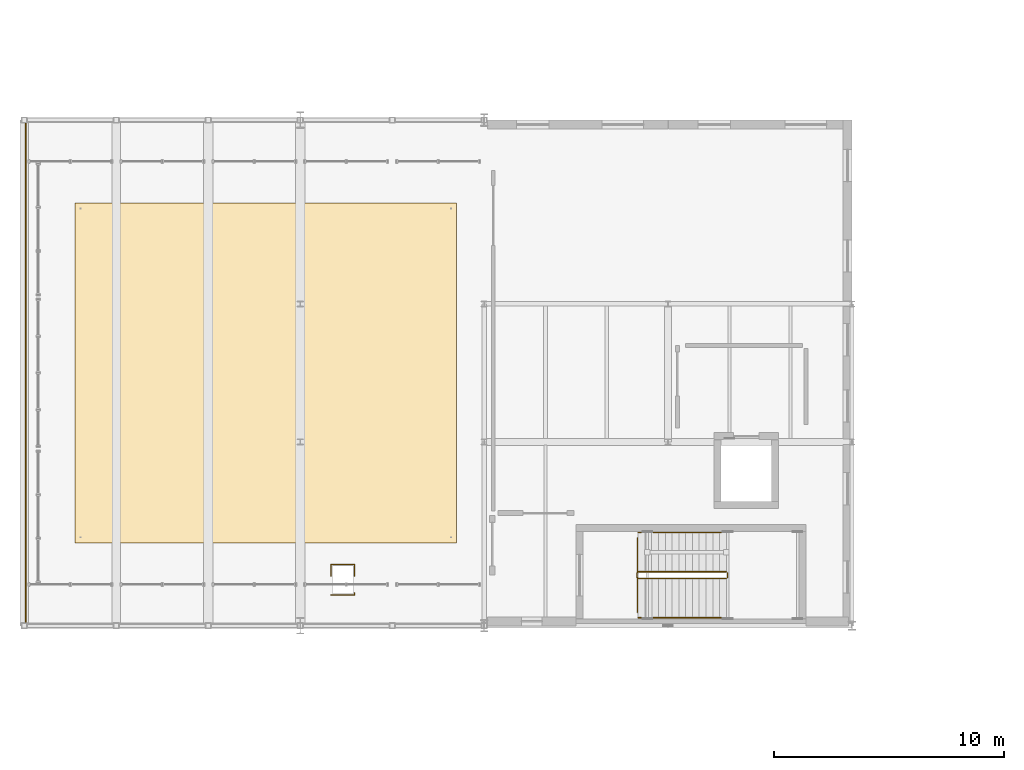
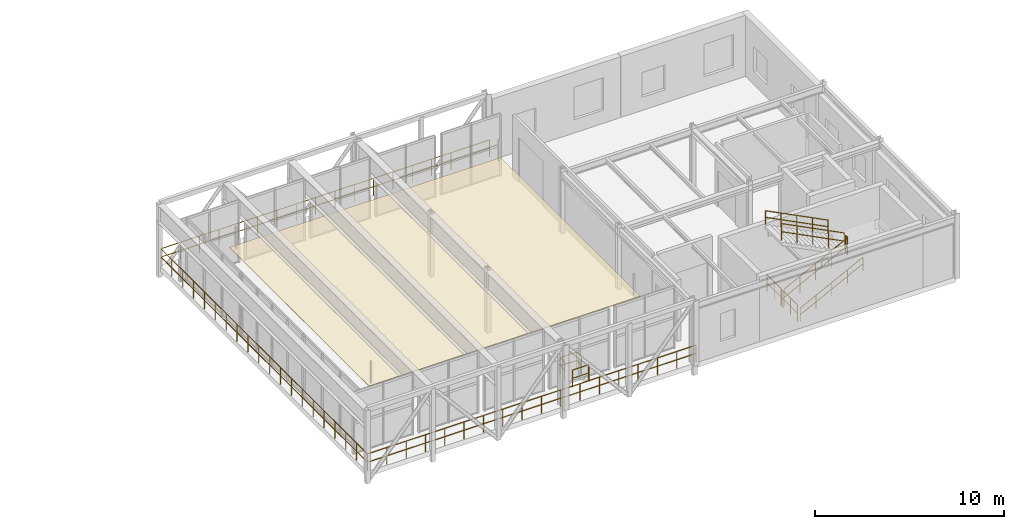
# One storey, part 115 of 124: 11 railings, 1 covering.
"""IFC4 building model written with IfcOpenShell, lengths in metres."""

import ifcopenshell
import ifcopenshell.guid

model = None  # the IFC model being written
_history = None  # IfcOwnerHistory: only IFC2X3 demands one
_inside = {}  # id of a spatial element -> (the spatial element, [elements in it])
_under = {}  # id of a project, library or spatial element -> (it, [spatial elements below it])
_declared = {}  # id of a project -> (the project, [libraries it declares])
_typed = {}  # id of a type object -> (the type object, [elements of that type])
_made_of = {}  # id of a material, layer set ... -> (it, [elements and type objects made of it])


def new_model(schema):
    """Start an empty IFC model of exactly this schema.

    Asked for "IFC4X3", IfcOpenShell would pick the latest addendum, in which some entities
    have other attributes; the version numbers below select the first issue.
    IFC2X3 requires an IfcOwnerHistory on every rooted entity: one is made here for all.
    """
    global model, _history
    if schema == "IFC4X3":
        model = ifcopenshell.file(schema_version=(4, 3, 0, 0))
    else:
        model = ifcopenshell.file(schema=schema)
    _inside.clear()
    _under.clear()
    _declared.clear()
    _typed.clear()
    _made_of.clear()
    _history = None
    if model.schema == "IFC2X3":
        org = make("IfcOrganization", Name="unknown")
        user = make(
            "IfcPersonAndOrganization",
            ThePerson=make("IfcPerson", FamilyName="unknown"),
            TheOrganization=org,
        )
        app = make(
            "IfcApplication",
            ApplicationDeveloper=org,
            Version="unknown",
            ApplicationFullName="unknown",
            ApplicationIdentifier="unknown",
        )
        _history = make(
            "IfcOwnerHistory",
            OwningUser=user,
            OwningApplication=app,
            ChangeAction="ADDED",
            CreationDate=0,
        )
    return model


def make(cls, **values):
    """One entity of the class cls with the attributes given. An attribute that is None is left unset."""
    return model.create_entity(
        cls, **{name: value for name, value in values.items() if value is not None}
    )


def rooted(cls, **values):
    """An entity with a GlobalId (a new one), such as an element, a storey or a relation."""
    return make(cls, GlobalId=ifcopenshell.guid.new(), OwnerHistory=_history, **values)


def si_unit(unit_type, name, prefix=None):
    """IfcSIUnit, for example si_unit("LENGTHUNIT", "METRE", prefix="MILLI")."""
    return make("IfcSIUnit", UnitType=unit_type, Prefix=prefix, Name=name)


def assignment(units):
    """IfcUnitAssignment: the units of a project."""
    return None if units is None else make("IfcUnitAssignment", Units=units)


def point(xyz):
    """IfcCartesianPoint."""
    return None if xyz is None else make("IfcCartesianPoint", Coordinates=xyz)


def direction(xyz):
    """IfcDirection."""
    return None if xyz is None else make("IfcDirection", DirectionRatios=xyz)


def frame(location, z_axis=None, x_axis=None):
    """IfcAxis2Placement3D, a coordinate frame: its origin and axes. An axis left out is left unset."""
    return make(
        "IfcAxis2Placement3D",
        Location=point(location),
        Axis=direction(z_axis),
        RefDirection=direction(x_axis),
    )


def frame_2d(location, x_axis=None):
    """IfcAxis2Placement2D, a coordinate frame in the plane: its origin and x axis."""
    return make(
        "IfcAxis2Placement2D", Location=point(location), RefDirection=direction(x_axis)
    )


def origin():
    """The frame at (0, 0, 0) with its axes left unset."""
    return frame((0.0, 0.0, 0.0))


def origin_2d():
    """The frame at (0, 0) in the plane with its x axis left unset."""
    return frame_2d((0.0, 0.0))


def place(relative_to, where):
    """IfcLocalPlacement: puts the frame where relative to a parent placement (None: the world)."""
    return make(
        "IfcLocalPlacement", PlacementRelTo=relative_to, RelativePlacement=where
    )


def context(
    kind, dimensions, precision=None, world=None, true_north=None, identifier=None
):
    """IfcGeometricRepresentationContext, for example the 3D "Model" context."""
    return make(
        "IfcGeometricRepresentationContext",
        ContextIdentifier=identifier,
        ContextType=kind,
        CoordinateSpaceDimension=dimensions,
        Precision=precision,
        WorldCoordinateSystem=world,
        TrueNorth=true_north,
    )


def subcontext(parent, identifier, kind, view, scale=None):
    """IfcGeometricRepresentationSubContext, for example "Body" below "Model"."""
    return make(
        "IfcGeometricRepresentationSubContext",
        ContextIdentifier=identifier,
        ContextType=kind,
        ParentContext=parent,
        TargetScale=scale,
        TargetView=view,
    )


def project(units=None, contexts=None):
    """IfcProject with its units and contexts."""
    return rooted(
        "IfcProject",
        Name="project",
        RepresentationContexts=contexts,
        UnitsInContext=assignment(units),
    )


def spatial(cls, under=None, at=None, **own):
    """A site, building, storey or space (cls), placed at a placement, below another one or the project."""
    s = rooted(cls, ObjectPlacement=at, **own)
    if under is not None:
        _under.setdefault(under.id(), (under, []))[1].append(s)
    return s


def polyline(points):
    """IfcPolyline through the points."""
    return make("IfcPolyline", Points=[point(p) for p in points])


def profile(cls, at=None, kind="AREA", **sizes):
    """A parametric profile (cls). Its sizes go by their IFC names, for example OverallWidth=200.0."""
    return make(cls, ProfileType=kind, Position=at, **sizes)


def circle(**sizes):
    """IfcCircleProfileDef."""
    return profile("IfcCircleProfileDef", **sizes)


def outline(outer, holes=None, kind="AREA"):
    """IfcArbitraryClosedProfileDef: a profile drawn as a closed curve; with holes, ...WithVoids."""
    if holes is None:
        return make("IfcArbitraryClosedProfileDef", ProfileType=kind, OuterCurve=outer)
    return make(
        "IfcArbitraryProfileDefWithVoids",
        ProfileType=kind,
        OuterCurve=outer,
        InnerCurves=holes,
    )


def extrude(swept, where, along, depth):
    """IfcExtrudedAreaSolid: the profile swept, set in the frame where, extruded along a direction by depth."""
    return make(
        "IfcExtrudedAreaSolid",
        SweptArea=swept,
        Position=where,
        ExtrudedDirection=direction(along),
        Depth=depth,
    )


def shape(context_of_items, identifier, shape_type, items):
    """IfcShapeRepresentation: the items that make up one representation, for example the "Body"."""
    return make(
        "IfcShapeRepresentation",
        ContextOfItems=context_of_items,
        RepresentationIdentifier=identifier,
        RepresentationType=shape_type,
        Items=items,
    )


def material(Name=None, Category=None):
    """IfcMaterial."""
    return make("IfcMaterial", Name=Name, Category=Category)


def layer(
    of_material, thickness, ventilated=None, Name=None, Category=None, Priority=None
):
    """IfcMaterialLayer: one layer of a wall or slab, of a material (None: an air gap)."""
    return make(
        "IfcMaterialLayer",
        Material=of_material,
        LayerThickness=thickness,
        IsVentilated=ventilated,
        Name=Name,
        Category=Category,
        Priority=Priority,
    )


def layer_set(layers, Name=None):
    """IfcMaterialLayerSet."""
    return make("IfcMaterialLayerSet", MaterialLayers=layers, LayerSetName=Name)


def made_of(thing, what):
    """Note that an element or type object is made of a material, layer set ...; save() writes the relation."""
    if what is not None:
        _made_of.setdefault(what.id(), (what, []))[1].append(thing)
    return thing


def type_object(cls, material=None, **own):
    """A type object (cls), such as IfcWallType, which elements share."""
    return made_of(rooted(cls, **own), material)


def element(
    cls,
    number,
    at=None,
    inside=None,
    cuts=None,
    type_object=None,
    material=None,
    context=None,
    identifier="Body",
    shape_type=None,
    held_by="IfcProductDefinitionShape",
    body=None,
    shapes=None,
    **own,
):
    """One element of the class cls, such as IfcWall. Its Tag is "e" and its number.

    at: its placement. inside: the storey or other place that contains it. cuts: it is an
    opening in that element (IfcRelVoidsElement). A single representation is given by context,
    identifier, shape_type and body (its items); several are given by shapes. held_by: the class
    of the entity that holds the representations. save() writes the other relations.
    """
    e = rooted(cls, Tag="e%d" % number, ObjectPlacement=at, **own)
    if body is not None:
        shapes = [shape(context, identifier, shape_type, body)]
    if shapes is not None:
        e.Representation = make(held_by, Representations=shapes)
    if inside is not None:
        _inside.setdefault(inside.id(), (inside, []))[1].append(e)
    if cuts is not None:
        rooted(
            "IfcRelVoidsElement", RelatingBuildingElement=cuts, RelatedOpeningElement=e
        )
    if type_object is not None:
        _typed.setdefault(type_object.id(), (type_object, []))[1].append(e)
    return made_of(e, material)


def aggregate(whole, parts):
    """IfcRelAggregates: a whole, such as a stair, and the parts it consists of."""
    return rooted("IfcRelAggregates", RelatingObject=whole, RelatedObjects=parts)


def save(model, path):
    """Write the relations noted so far, then the file.

    IfcRelAggregates (storeys below a building ...), IfcRelContainedInSpatialStructure (elements
    in a storey), IfcRelDefinesByType, IfcRelAssociatesMaterial and IfcRelDeclares: one each for
    every whole, place, type object, material and project.
    """
    for whole, parts in _under.values():
        aggregate(whole, parts)
    for where, things in _inside.values():
        rooted(
            "IfcRelContainedInSpatialStructure",
            RelatedElements=things,
            RelatingStructure=where,
        )
    for kind, things in _typed.values():
        rooted("IfcRelDefinesByType", RelatedObjects=things, RelatingType=kind)
    for what, things in _made_of.values():
        rooted("IfcRelAssociatesMaterial", RelatedObjects=things, RelatingMaterial=what)
    for by, libraries in _declared.values():
        rooted("IfcRelDeclares", RelatingContext=by, RelatedDefinitions=libraries)
    model.write(path)


model = new_model("IFC4")

# Units and contexts
model_context = context("Model", 3, precision=1e-05, world=origin(), true_north=direction((0.0, 1.0)))
body_context = subcontext(model_context, "Body", "Model", "MODEL_VIEW")
ifc_project = project(units=[si_unit("LENGTHUNIT", "METRE"), si_unit("AREAUNIT", "SQUARE_METRE"), si_unit("VOLUMEUNIT", "CUBIC_METRE"), si_unit("PLANEANGLEUNIT", "RADIAN"), si_unit("MASSUNIT", "GRAM", prefix="KILO")], contexts=[model_context])

# Site, building, storey
site_placement = place(None, origin())
site = spatial("IfcSite", under=ifc_project, at=site_placement, CompositionType="ELEMENT")
building_placement = place(site_placement, origin())
building = spatial("IfcBuilding", under=site, at=building_placement, Name="Sundkrona Museum", CompositionType="ELEMENT")
storey_placement = place(building_placement, frame((0.0, 0.0, 17.60009765625)))
storey = spatial("IfcBuildingStorey", under=building, at=storey_placement, Name="L03", CompositionType="ELEMENT", Elevation=17.60009765625)

# Covering
ifc_material_1 = material(Name="Perforated Acoustic Gypsum and Mineral Wool Ceiling", Category="other")
ifc_layer = layer(ifc_material_1, 0.0400390625)
ifc_layer_set = layer_set([ifc_layer], Name="Perforated Acoustic Gypsum and Mineral Wool Ceiling")
covering_type = type_object("IfcCoveringType", Name="COV-CEIL-AC", PredefinedType="CEILING", material=ifc_layer_set)
covering_placement = place(storey_placement, frame((0.0, 0.0, 2.5498046875)))
element("IfcCovering", 1, at=covering_placement, inside=storey, type_object=covering_type, Name="L03 Marine Biology Gallery Acoustic Ceiling", PredefinedType="CEILING", context=body_context, shape_type="SweptSolid", body=[
    extrude(outline(polyline([(6.199951171875, 35.60009765625), (22.800048828125, 35.60009765625), (22.800048828125, 50.39990234375), (6.199951171875, 50.39990234375), (6.199951171875, 35.60009765625)])), origin(), (0.0, 0.0, 1.0), 0.0400390625),
])

# Railings
ifc_material_2 = material(Name="Painted Steel S355J2 and Laminated Glass Balustrade", Category="steel")
railing_type_1 = type_object("IfcRailingType", Name="RL-GUARD-1100", PredefinedType="BALUSTRADE", material=ifc_material_2)
railing_1_placement = place(storey_placement, frame((30.699951171875, 34.050048828125, 0.14990234375)))
element("IfcRailing", 2, at=railing_1_placement, inside=storey, type_object=railing_type_1, Name="L03 ST-4 stair guard 1", PredefinedType="BALUSTRADE", context=body_context, shape_type="SweptSolid", body=[
    extrude(circle(Radius=0.02392578125, at=origin_2d()), frame((0.0, 0.0, 1.076171875), z_axis=(0.891387850335, 0.0, 0.453241326752), x_axis=(0.0, 1.0, 0.0)), (0.0, 0.0, 1.0), 4.30224609375),
    extrude(circle(Radius=0.02392578125, at=origin_2d()), frame((0.0, 0.0, 0.550048828125), z_axis=(0.891387850335, 0.0, 0.453241326752), x_axis=(0.0, 1.0, 0.0)), (0.0, 0.0, 1.0), 4.30224609375),
    extrude(circle(Radius=0.02099609375, at=origin_2d()), origin(), (0.0, 0.0, 1.0), 1.052001953125),
    extrude(circle(Radius=0.02099609375, at=origin_2d()), frame((0.958740234375, 0.0, 0.487548828125)), (0.0, 0.0, 1.0), 1.052001953125),
    extrude(circle(Radius=0.02099609375, at=origin_2d()), frame((1.91748046875, 0.0, 0.97509765625)), (0.0, 0.0, 1.0), 1.052001953125),
    extrude(circle(Radius=0.02099609375, at=origin_2d()), frame((2.876220703125, 0.0, 1.46240234375)), (0.0, 0.0, 1.0), 1.052001953125),
    extrude(circle(Radius=0.02099609375, at=origin_2d()), frame((3.8349609375, 0.0, 1.949951171875)), (0.0, 0.0, 1.0), 1.052001953125),
])
railing_2_placement = place(storey_placement, frame((34.5849609375, 34.10009765625, 2.099853515625)))
element("IfcRailing", 3, at=railing_2_placement, inside=storey, type_object=railing_type_1, Name="L03 ST-4 stair guard 2", PredefinedType="BALUSTRADE", context=body_context, shape_type="SweptSolid", body=[
    extrude(circle(Radius=0.02392578125, at=origin_2d()), frame((0.0, 0.0, 1.076171875), z_axis=(0.0, 1.0, 0.0), x_axis=(-1.0, 0.0, 0.0)), (0.0, 0.0, 1.0), 0.199951171875),
    extrude(circle(Radius=0.02392578125, at=origin_2d()), frame((0.0, 0.0, 0.550048828125), z_axis=(0.0, 1.0, 0.0), x_axis=(-1.0, 0.0, 0.0)), (0.0, 0.0, 1.0), 0.199951171875),
    extrude(circle(Radius=0.02099609375, at=origin_2d()), origin(), (0.0, 0.0, 1.0), 1.052001953125),
    extrude(circle(Radius=0.02099609375, at=origin_2d()), frame((0.0, 0.199951171875, 0.0)), (0.0, 0.0, 1.0), 1.052001953125),
])
railing_3_placement = place(storey_placement, frame((34.534912109375, 34.35009765625, 2.25)))
element("IfcRailing", 4, at=railing_3_placement, inside=storey, type_object=railing_type_1, Name="L03 ST-4 stair guard 3", PredefinedType="BALUSTRADE", context=body_context, shape_type="SweptSolid", body=[
    extrude(circle(Radius=0.02392578125, at=origin_2d()), frame((0.0, 0.0, 1.076171875), z_axis=(-0.891387850335, 0.0, 0.453241326752), x_axis=(0.0, -1.0, 0.0)), (0.0, 0.0, 1.0), 4.30224609375),
    extrude(circle(Radius=0.02392578125, at=origin_2d()), frame((0.0, 0.0, 0.550048828125), z_axis=(-0.891387850335, 0.0, 0.453241326752), x_axis=(0.0, -1.0, 0.0)), (0.0, 0.0, 1.0), 4.30224609375),
    extrude(circle(Radius=0.02099609375, at=origin_2d()), origin(), (0.0, 0.0, 1.0), 1.052001953125),
    extrude(circle(Radius=0.02099609375, at=origin_2d()), frame((-0.958740234375, 0.0, 0.487548828125)), (0.0, 0.0, 1.0), 1.052001953125),
    extrude(circle(Radius=0.02099609375, at=origin_2d()), frame((-1.91748046875, 0.0, 0.97509765625)), (0.0, 0.0, 1.0), 1.052001953125),
    extrude(circle(Radius=0.02099609375, at=origin_2d()), frame((-2.876220703125, 0.0, 1.46240234375)), (0.0, 0.0, 1.0), 1.052001953125),
    extrude(circle(Radius=0.02099609375, at=origin_2d()), frame((-3.8349609375, 0.0, 1.949951171875)), (0.0, 0.0, 1.0), 1.052001953125),
])
railing_4_placement = place(storey_placement, frame((30.64990234375, 34.10009765625, 0.0)))
element("IfcRailing", 5, at=railing_4_placement, inside=storey, type_object=railing_type_1, Name="L03 ST-4 stair guard 4", PredefinedType="BALUSTRADE", context=body_context, shape_type="SweptSolid", body=[
    extrude(circle(Radius=0.02392578125, at=origin_2d()), frame((0.0, 0.0, 1.076171875), z_axis=(0.0, 1.0, 0.0), x_axis=(-1.0, 0.0, 0.0)), (0.0, 0.0, 1.0), 0.199951171875),
    extrude(circle(Radius=0.02392578125, at=origin_2d()), frame((0.0, 0.0, 0.550048828125), z_axis=(0.0, 1.0, 0.0), x_axis=(-1.0, 0.0, 0.0)), (0.0, 0.0, 1.0), 0.199951171875),
    extrude(circle(Radius=0.02099609375, at=origin_2d()), origin(), (0.0, 0.0, 1.0), 1.052001953125),
    extrude(circle(Radius=0.02099609375, at=origin_2d()), frame((0.0, 0.199951171875, 0.0)), (0.0, 0.0, 1.0), 1.052001953125),
])
railing_5_placement = place(storey_placement, frame((24.155029296875, 32.06005859375, 0.0)))
element("IfcRailing", 6, at=railing_5_placement, inside=storey, type_object=railing_type_1, Name="L03 Edge Protection Balustrade 001", PredefinedType="BALUSTRADE", context=body_context, shape_type="SweptSolid", body=[
    extrude(circle(Radius=0.02392578125, at=origin_2d()), frame((0.0, 0.0, 1.09619140625), z_axis=(-1.0, 0.0, 0.0), x_axis=(0.0, -1.0, 0.0)), (0.0, 0.0, 1.0), 20.094970703125),
    extrude(circle(Radius=0.02392578125, at=origin_2d()), frame((0.0, 0.0, 0.56005859375), z_axis=(-1.0, 0.0, 0.0), x_axis=(0.0, -1.0, 0.0)), (0.0, 0.0, 1.0), 20.094970703125),
    extrude(circle(Radius=0.02392578125, at=origin_2d()), frame((-20.094970703125, 0.0, 1.09619140625), z_axis=(0.0, 1.0, 0.0), x_axis=(-1.0, 0.0, 0.0)), (0.0, 0.0, 1.0), 21.8798828125),
    extrude(circle(Radius=0.02392578125, at=origin_2d()), frame((-20.094970703125, 0.0, 0.56005859375), z_axis=(0.0, 1.0, 0.0), x_axis=(-1.0, 0.0, 0.0)), (0.0, 0.0, 1.0), 21.8798828125),
    extrude(circle(Radius=0.02392578125, at=origin_2d()), frame((-20.094970703125, 21.8798828125, 1.09619140625), z_axis=(1.0, 0.0, 0.0), x_axis=(0.0, 1.0, 0.0)), (0.0, 0.0, 1.0), 20.094970703125),
    extrude(circle(Radius=0.02392578125, at=origin_2d()), frame((-20.094970703125, 21.8798828125, 0.56005859375), z_axis=(1.0, 0.0, 0.0), x_axis=(0.0, 1.0, 0.0)), (0.0, 0.0, 1.0), 20.094970703125),
    extrude(circle(Radius=0.02099609375, at=origin_2d()), origin(), (0.0, 0.0, 1.0), 1.072021484375),
    extrude(circle(Radius=0.02099609375, at=origin_2d()), frame((-1.18212890625, 0.0, 0.0)), (0.0, 0.0, 1.0), 1.072021484375),
    extrude(circle(Radius=0.02099609375, at=origin_2d()), frame((-2.364013671875, 0.0, 0.0)), (0.0, 0.0, 1.0), 1.072021484375),
    extrude(circle(Radius=0.02099609375, at=origin_2d()), frame((-3.546142578125, 0.0, 0.0)), (0.0, 0.0, 1.0), 1.072021484375),
    extrude(circle(Radius=0.02099609375, at=origin_2d()), frame((-4.728271484375, 0.0, 0.0)), (0.0, 0.0, 1.0), 1.072021484375),
    extrude(circle(Radius=0.02099609375, at=origin_2d()), frame((-5.910400390625, 0.0, 0.0)), (0.0, 0.0, 1.0), 1.072021484375),
    extrude(circle(Radius=0.02099609375, at=origin_2d()), frame((-7.09228515625, 0.0, 0.0)), (0.0, 0.0, 1.0), 1.072021484375),
    extrude(circle(Radius=0.02099609375, at=origin_2d()), frame((-8.2744140625, 0.0, 0.0)), (0.0, 0.0, 1.0), 1.072021484375),
    extrude(circle(Radius=0.02099609375, at=origin_2d()), frame((-9.45654296875, 0.0, 0.0)), (0.0, 0.0, 1.0), 1.072021484375),
    extrude(circle(Radius=0.02099609375, at=origin_2d()), frame((-10.638427734375, 0.0, 0.0)), (0.0, 0.0, 1.0), 1.072021484375),
    extrude(circle(Radius=0.02099609375, at=origin_2d()), frame((-11.820556640625, 0.0, 0.0)), (0.0, 0.0, 1.0), 1.072021484375),
    extrude(circle(Radius=0.02099609375, at=origin_2d()), frame((-13.002685546875, 0.0, 0.0)), (0.0, 0.0, 1.0), 1.072021484375),
    extrude(circle(Radius=0.02099609375, at=origin_2d()), frame((-14.1845703125, 0.0, 0.0)), (0.0, 0.0, 1.0), 1.072021484375),
    extrude(circle(Radius=0.02099609375, at=origin_2d()), frame((-15.36669921875, 0.0, 0.0)), (0.0, 0.0, 1.0), 1.072021484375),
    extrude(circle(Radius=0.02099609375, at=origin_2d()), frame((-16.548828125, 0.0, 0.0)), (0.0, 0.0, 1.0), 1.072021484375),
    extrude(circle(Radius=0.02099609375, at=origin_2d()), frame((-17.73095703125, 0.0, 0.0)), (0.0, 0.0, 1.0), 1.072021484375),
    extrude(circle(Radius=0.02099609375, at=origin_2d()), frame((-18.912841796875, 0.0, 0.0)), (0.0, 0.0, 1.0), 1.072021484375),
    extrude(circle(Radius=0.02099609375, at=origin_2d()), frame((-20.094970703125, 0.0, 0.0)), (0.0, 0.0, 1.0), 1.072021484375),
    extrude(circle(Radius=0.02099609375, at=origin_2d()), frame((-20.094970703125, 1.151611328125, 0.0)), (0.0, 0.0, 1.0), 1.072021484375),
    extrude(circle(Radius=0.02099609375, at=origin_2d()), frame((-20.094970703125, 2.30322265625, 0.0)), (0.0, 0.0, 1.0), 1.072021484375),
    extrude(circle(Radius=0.02099609375, at=origin_2d()), frame((-20.094970703125, 3.454833984375, 0.0)), (0.0, 0.0, 1.0), 1.072021484375),
    extrude(circle(Radius=0.02099609375, at=origin_2d()), frame((-20.094970703125, 4.606201171875, 0.0)), (0.0, 0.0, 1.0), 1.072021484375),
    extrude(circle(Radius=0.02099609375, at=origin_2d()), frame((-20.094970703125, 5.7578125, 0.0)), (0.0, 0.0, 1.0), 1.072021484375),
    extrude(circle(Radius=0.02099609375, at=origin_2d()), frame((-20.094970703125, 6.909423828125, 0.0)), (0.0, 0.0, 1.0), 1.072021484375),
    extrude(circle(Radius=0.02099609375, at=origin_2d()), frame((-20.094970703125, 8.06103515625, 0.0)), (0.0, 0.0, 1.0), 1.072021484375),
    extrude(circle(Radius=0.02099609375, at=origin_2d()), frame((-20.094970703125, 9.212646484375, 0.0)), (0.0, 0.0, 1.0), 1.072021484375),
    extrude(circle(Radius=0.02099609375, at=origin_2d()), frame((-20.094970703125, 10.3642578125, 0.0)), (0.0, 0.0, 1.0), 1.072021484375),
    extrude(circle(Radius=0.02099609375, at=origin_2d()), frame((-20.094970703125, 11.515625, 0.0)), (0.0, 0.0, 1.0), 1.072021484375),
    extrude(circle(Radius=0.02099609375, at=origin_2d()), frame((-20.094970703125, 12.667236328125, 0.0)), (0.0, 0.0, 1.0), 1.072021484375),
    extrude(circle(Radius=0.02099609375, at=origin_2d()), frame((-20.094970703125, 13.81884765625, 0.0)), (0.0, 0.0, 1.0), 1.072021484375),
    extrude(circle(Radius=0.02099609375, at=origin_2d()), frame((-20.094970703125, 14.970458984375, 0.0)), (0.0, 0.0, 1.0), 1.072021484375),
    extrude(circle(Radius=0.02099609375, at=origin_2d()), frame((-20.094970703125, 16.1220703125, 0.0)), (0.0, 0.0, 1.0), 1.072021484375),
    extrude(circle(Radius=0.02099609375, at=origin_2d()), frame((-20.094970703125, 17.273681640625, 0.0)), (0.0, 0.0, 1.0), 1.072021484375),
    extrude(circle(Radius=0.02099609375, at=origin_2d()), frame((-20.094970703125, 18.425048828125, 0.0)), (0.0, 0.0, 1.0), 1.072021484375),
    extrude(circle(Radius=0.02099609375, at=origin_2d()), frame((-20.094970703125, 19.57666015625, 0.0)), (0.0, 0.0, 1.0), 1.072021484375),
    extrude(circle(Radius=0.02099609375, at=origin_2d()), frame((-20.094970703125, 20.728271484375, 0.0)), (0.0, 0.0, 1.0), 1.072021484375),
    extrude(circle(Radius=0.02099609375, at=origin_2d()), frame((-20.094970703125, 21.8798828125, 0.0)), (0.0, 0.0, 1.0), 1.072021484375),
    extrude(circle(Radius=0.02099609375, at=origin_2d()), frame((-18.912841796875, 21.8798828125, 0.0)), (0.0, 0.0, 1.0), 1.072021484375),
    extrude(circle(Radius=0.02099609375, at=origin_2d()), frame((-17.73095703125, 21.8798828125, 0.0)), (0.0, 0.0, 1.0), 1.072021484375),
    extrude(circle(Radius=0.02099609375, at=origin_2d()), frame((-16.548828125, 21.8798828125, 0.0)), (0.0, 0.0, 1.0), 1.072021484375),
    extrude(circle(Radius=0.02099609375, at=origin_2d()), frame((-15.36669921875, 21.8798828125, 0.0)), (0.0, 0.0, 1.0), 1.072021484375),
    extrude(circle(Radius=0.02099609375, at=origin_2d()), frame((-14.1845703125, 21.8798828125, 0.0)), (0.0, 0.0, 1.0), 1.072021484375),
    extrude(circle(Radius=0.02099609375, at=origin_2d()), frame((-13.002685546875, 21.8798828125, 0.0)), (0.0, 0.0, 1.0), 1.072021484375),
    extrude(circle(Radius=0.02099609375, at=origin_2d()), frame((-11.820556640625, 21.8798828125, 0.0)), (0.0, 0.0, 1.0), 1.072021484375),
    extrude(circle(Radius=0.02099609375, at=origin_2d()), frame((-10.638427734375, 21.8798828125, 0.0)), (0.0, 0.0, 1.0), 1.072021484375),
    extrude(circle(Radius=0.02099609375, at=origin_2d()), frame((-9.45654296875, 21.8798828125, 0.0)), (0.0, 0.0, 1.0), 1.072021484375),
    extrude(circle(Radius=0.02099609375, at=origin_2d()), frame((-8.2744140625, 21.8798828125, 0.0)), (0.0, 0.0, 1.0), 1.072021484375),
    extrude(circle(Radius=0.02099609375, at=origin_2d()), frame((-7.09228515625, 21.8798828125, 0.0)), (0.0, 0.0, 1.0), 1.072021484375),
    extrude(circle(Radius=0.02099609375, at=origin_2d()), frame((-5.910400390625, 21.8798828125, 0.0)), (0.0, 0.0, 1.0), 1.072021484375),
    extrude(circle(Radius=0.02099609375, at=origin_2d()), frame((-4.728271484375, 21.8798828125, 0.0)), (0.0, 0.0, 1.0), 1.072021484375),
    extrude(circle(Radius=0.02099609375, at=origin_2d()), frame((-3.546142578125, 21.8798828125, 0.0)), (0.0, 0.0, 1.0), 1.072021484375),
    extrude(circle(Radius=0.02099609375, at=origin_2d()), frame((-2.364013671875, 21.8798828125, 0.0)), (0.0, 0.0, 1.0), 1.072021484375),
    extrude(circle(Radius=0.02099609375, at=origin_2d()), frame((-1.18212890625, 21.8798828125, 0.0)), (0.0, 0.0, 1.0), 1.072021484375),
    extrude(circle(Radius=0.02099609375, at=origin_2d()), frame((0.0, 21.8798828125, 0.0)), (0.0, 0.0, 1.0), 1.072021484375),
])
railing_6_placement = place(storey_placement, frame((17.340087890625, 33.340087890625, 0.0)))
element("IfcRailing", 7, at=railing_6_placement, inside=storey, type_object=railing_type_1, Name="L03 Edge Protection Balustrade 002", PredefinedType="BALUSTRADE", context=body_context, shape_type="SweptSolid", body=[
    extrude(circle(Radius=0.02392578125, at=origin_2d()), frame((0.0, 0.0, 1.09619140625), z_axis=(1.0, 0.0, 0.0), x_axis=(0.0, 1.0, 0.0)), (0.0, 0.0, 1.0), 1.02001953125),
    extrude(circle(Radius=0.02392578125, at=origin_2d()), frame((0.0, 0.0, 0.56005859375), z_axis=(1.0, 0.0, 0.0), x_axis=(0.0, 1.0, 0.0)), (0.0, 0.0, 1.0), 1.02001953125),
    extrude(circle(Radius=0.02392578125, at=origin_2d()), frame((1.02001953125, 0.0, 1.09619140625), z_axis=(0.0, 1.0, 0.0), x_axis=(-1.0, 0.0, 0.0)), (0.0, 0.0, 1.0), 0.08984375),
    extrude(circle(Radius=0.02392578125, at=origin_2d()), frame((1.02001953125, 0.0, 0.56005859375), z_axis=(0.0, 1.0, 0.0), x_axis=(-1.0, 0.0, 0.0)), (0.0, 0.0, 1.0), 0.08984375),
    extrude(circle(Radius=0.02099609375, at=origin_2d()), origin(), (0.0, 0.0, 1.0), 1.072021484375),
    extrude(circle(Radius=0.02099609375, at=origin_2d()), frame((1.02001953125, 0.0, 0.0)), (0.0, 0.0, 1.0), 1.072021484375),
    extrude(circle(Radius=0.02099609375, at=origin_2d()), frame((1.02001953125, 0.08984375, 0.0)), (0.0, 0.0, 1.0), 1.072021484375),
])
railing_7_placement = place(storey_placement, frame((18.360107421875, 34.169921875, 0.0)))
element("IfcRailing", 8, at=railing_7_placement, inside=storey, type_object=railing_type_1, Name="L03 Edge Protection Balustrade 003", PredefinedType="BALUSTRADE", context=body_context, shape_type="SweptSolid", body=[
    extrude(circle(Radius=0.02392578125, at=origin_2d()), frame((0.0, 0.0, 1.09619140625), z_axis=(0.0, 1.0, 0.0), x_axis=(-1.0, 0.0, 0.0)), (0.0, 0.0, 1.0), 0.489990234375),
    extrude(circle(Radius=0.02392578125, at=origin_2d()), frame((0.0, 0.0, 0.56005859375), z_axis=(0.0, 1.0, 0.0), x_axis=(-1.0, 0.0, 0.0)), (0.0, 0.0, 1.0), 0.489990234375),
    extrude(circle(Radius=0.02392578125, at=origin_2d()), frame((0.0, 0.489990234375, 1.09619140625), z_axis=(-1.0, 0.0, 0.0), x_axis=(0.0, -1.0, 0.0)), (0.0, 0.0, 1.0), 1.02001953125),
    extrude(circle(Radius=0.02392578125, at=origin_2d()), frame((0.0, 0.489990234375, 0.56005859375), z_axis=(-1.0, 0.0, 0.0), x_axis=(0.0, -1.0, 0.0)), (0.0, 0.0, 1.0), 1.02001953125),
    extrude(circle(Radius=0.02392578125, at=origin_2d()), frame((-1.02001953125, 0.489990234375, 1.09619140625), z_axis=(0.0, -1.0, 0.0), x_axis=(1.0, 0.0, 0.0)), (0.0, 0.0, 1.0), 0.489990234375),
    extrude(circle(Radius=0.02392578125, at=origin_2d()), frame((-1.02001953125, 0.489990234375, 0.56005859375), z_axis=(0.0, -1.0, 0.0), x_axis=(1.0, 0.0, 0.0)), (0.0, 0.0, 1.0), 0.489990234375),
    extrude(circle(Radius=0.02099609375, at=origin_2d()), origin(), (0.0, 0.0, 1.0), 1.072021484375),
    extrude(circle(Radius=0.02099609375, at=origin_2d()), frame((0.0, 0.489990234375, 0.0)), (0.0, 0.0, 1.0), 1.072021484375),
    extrude(circle(Radius=0.02099609375, at=origin_2d()), frame((-1.02001953125, 0.489990234375, 0.0)), (0.0, 0.0, 1.0), 1.072021484375),
    extrude(circle(Radius=0.02099609375, at=origin_2d()), frame((-1.02001953125, 0.0, 0.0)), (0.0, 0.0, 1.0), 1.072021484375),
])
for number, where, name in (
    (9, (30.6650390625, 34.10009765625, 0.0), "L03 Edge Protection Balustrade 008"),
    (10, (30.6650390625, 35.820068359375, 0.0), "L03 Edge Protection Balustrade 009"),
):
    element("IfcRailing", number, at=place(storey_placement, frame(where)), inside=storey, type_object=railing_type_1, Name=name, PredefinedType="BALUSTRADE", context=body_context, shape_type="SweptSolid", body=[
        extrude(circle(Radius=0.02392578125, at=origin_2d()), frame((0.0, 0.0, 1.09619140625), z_axis=(0.0, -1.0, 0.0), x_axis=(1.0, 0.0, 0.0)), (0.0, 0.0, 1.0), 1.52001953125),
        extrude(circle(Radius=0.02392578125, at=origin_2d()), frame((0.0, 0.0, 0.56005859375), z_axis=(0.0, -1.0, 0.0), x_axis=(1.0, 0.0, 0.0)), (0.0, 0.0, 1.0), 1.52001953125),
        extrude(circle(Radius=0.02099609375, at=origin_2d()), origin(), (0.0, 0.0, 1.0), 1.072021484375),
        extrude(circle(Radius=0.02099609375, at=origin_2d()), frame((0.0, -0.760009765625, 0.0)), (0.0, 0.0, 1.0), 1.072021484375),
        extrude(circle(Radius=0.02099609375, at=origin_2d()), frame((0.0, -1.52001953125, 0.0)), (0.0, 0.0, 1.0), 1.072021484375),
    ])
ifc_material_3 = material(Name="Brushed Bronze-Clad Steel Handrail", Category="steel")
railing_type_2 = type_object("IfcRailingType", Name="RL-HAND-900", PredefinedType="HANDRAIL", material=ifc_material_3)
railing_8_placement = place(storey_placement, frame((30.699951171875, 32.35009765625, 0.14990234375)))
element("IfcRailing", 11, at=railing_8_placement, inside=storey, type_object=railing_type_2, Name="L03 ST-4 stair handrail 1", PredefinedType="HANDRAIL", context=body_context, shape_type="SweptSolid", body=[
    extrude(circle(Radius=0.02392578125, at=origin_2d()), frame((0.0, 0.0, 0.8759765625), z_axis=(0.891387850335, 0.0, 0.453241326752), x_axis=(0.0, 1.0, 0.0)), (0.0, 0.0, 1.0), 4.30224609375),
    extrude(circle(Radius=0.02392578125, at=origin_2d()), frame((0.0, 0.0, 0.449951171875), z_axis=(0.891387850335, 0.0, 0.453241326752), x_axis=(0.0, 1.0, 0.0)), (0.0, 0.0, 1.0), 4.30224609375),
    extrude(circle(Radius=0.02099609375, at=origin_2d()), origin(), (0.0, 0.0, 1.0), 0.851806640625),
    extrude(circle(Radius=0.02099609375, at=origin_2d()), frame((0.958740234375, 0.0, 0.487548828125)), (0.0, 0.0, 1.0), 0.851806640625),
    extrude(circle(Radius=0.02099609375, at=origin_2d()), frame((1.91748046875, 0.0, 0.97509765625)), (0.0, 0.0, 1.0), 0.851806640625),
    extrude(circle(Radius=0.02099609375, at=origin_2d()), frame((2.876220703125, 0.0, 1.46240234375)), (0.0, 0.0, 1.0), 0.851806640625),
    extrude(circle(Radius=0.02099609375, at=origin_2d()), frame((3.8349609375, 0.0, 1.949951171875)), (0.0, 0.0, 1.0), 0.851806640625),
])
railing_9_placement = place(storey_placement, frame((34.534912109375, 36.050048828125, 2.25)))
element("IfcRailing", 12, at=railing_9_placement, inside=storey, type_object=railing_type_2, Name="L03 ST-4 stair handrail 2", PredefinedType="HANDRAIL", context=body_context, shape_type="SweptSolid", body=[
    extrude(circle(Radius=0.02392578125, at=origin_2d()), frame((0.0, 0.0, 0.8759765625), z_axis=(-0.891387850335, 0.0, 0.453241326752), x_axis=(0.0, -1.0, 0.0)), (0.0, 0.0, 1.0), 4.30224609375),
    extrude(circle(Radius=0.02392578125, at=origin_2d()), frame((0.0, 0.0, 0.449951171875), z_axis=(-0.891387850335, 0.0, 0.453241326752), x_axis=(0.0, -1.0, 0.0)), (0.0, 0.0, 1.0), 4.30224609375),
    extrude(circle(Radius=0.02099609375, at=origin_2d()), origin(), (0.0, 0.0, 1.0), 0.851806640625),
    extrude(circle(Radius=0.02099609375, at=origin_2d()), frame((-0.958740234375, 0.0, 0.487548828125)), (0.0, 0.0, 1.0), 0.851806640625),
    extrude(circle(Radius=0.02099609375, at=origin_2d()), frame((-1.91748046875, 0.0, 0.97509765625)), (0.0, 0.0, 1.0), 0.851806640625),
    extrude(circle(Radius=0.02099609375, at=origin_2d()), frame((-2.876220703125, 0.0, 1.46240234375)), (0.0, 0.0, 1.0), 0.851806640625),
    extrude(circle(Radius=0.02099609375, at=origin_2d()), frame((-3.8349609375, 0.0, 1.949951171875)), (0.0, 0.0, 1.0), 0.851806640625),
])

save(model, "model.ifc")
